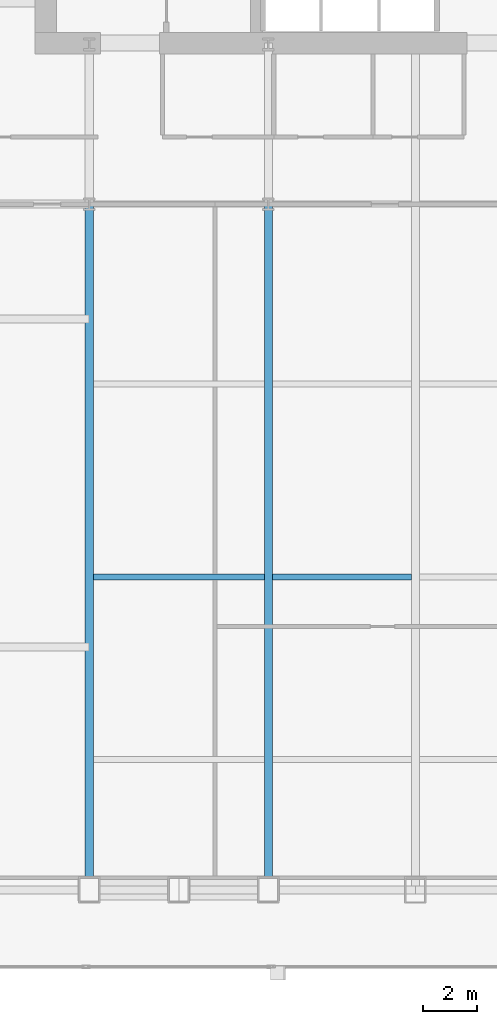
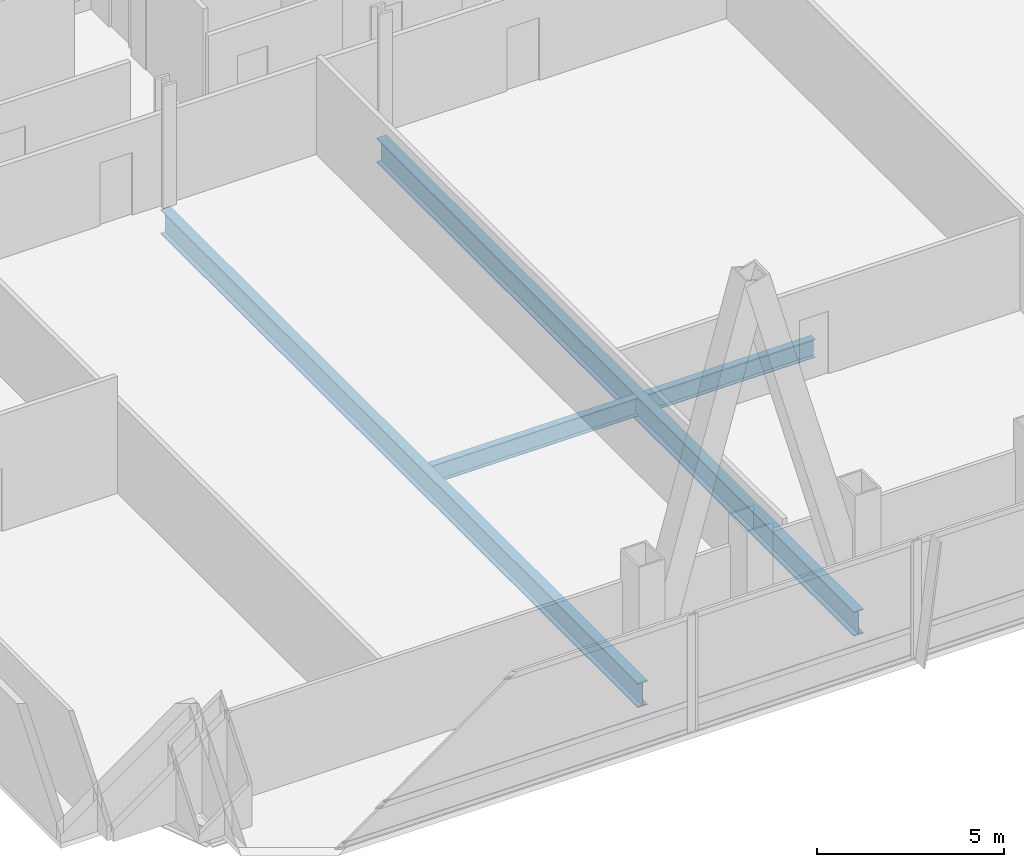
# One storey, part 9 of 36: 4 beams.
"""IFC4 building model written with IfcOpenShell, lengths in metres."""

import ifcopenshell
import ifcopenshell.guid

model = None  # the IFC model being written
_history = None  # IfcOwnerHistory: only IFC2X3 demands one
_inside = {}  # id of a spatial element -> (the spatial element, [elements in it])
_under = {}  # id of a project, library or spatial element -> (it, [spatial elements below it])
_declared = {}  # id of a project -> (the project, [libraries it declares])
_typed = {}  # id of a type object -> (the type object, [elements of that type])
_made_of = {}  # id of a material, layer set ... -> (it, [elements and type objects made of it])


def new_model(schema):
    """Start an empty IFC model of exactly this schema.

    Asked for "IFC4X3", IfcOpenShell would pick the latest addendum, in which some entities
    have other attributes; the version numbers below select the first issue.
    IFC2X3 requires an IfcOwnerHistory on every rooted entity: one is made here for all.
    """
    global model, _history
    if schema == "IFC4X3":
        model = ifcopenshell.file(schema_version=(4, 3, 0, 0))
    else:
        model = ifcopenshell.file(schema=schema)
    _inside.clear()
    _under.clear()
    _declared.clear()
    _typed.clear()
    _made_of.clear()
    _history = None
    if model.schema == "IFC2X3":
        org = make("IfcOrganization", Name="unknown")
        user = make(
            "IfcPersonAndOrganization",
            ThePerson=make("IfcPerson", FamilyName="unknown"),
            TheOrganization=org,
        )
        app = make(
            "IfcApplication",
            ApplicationDeveloper=org,
            Version="unknown",
            ApplicationFullName="unknown",
            ApplicationIdentifier="unknown",
        )
        _history = make(
            "IfcOwnerHistory",
            OwningUser=user,
            OwningApplication=app,
            ChangeAction="ADDED",
            CreationDate=0,
        )
    return model


def make(cls, **values):
    """One entity of the class cls with the attributes given. An attribute that is None is left unset."""
    return model.create_entity(
        cls, **{name: value for name, value in values.items() if value is not None}
    )


def rooted(cls, **values):
    """An entity with a GlobalId (a new one), such as an element, a storey or a relation."""
    return make(cls, GlobalId=ifcopenshell.guid.new(), OwnerHistory=_history, **values)


def si_unit(unit_type, name, prefix=None):
    """IfcSIUnit, for example si_unit("LENGTHUNIT", "METRE", prefix="MILLI")."""
    return make("IfcSIUnit", UnitType=unit_type, Prefix=prefix, Name=name)


def assignment(units):
    """IfcUnitAssignment: the units of a project."""
    return None if units is None else make("IfcUnitAssignment", Units=units)


def point(xyz):
    """IfcCartesianPoint."""
    return None if xyz is None else make("IfcCartesianPoint", Coordinates=xyz)


def direction(xyz):
    """IfcDirection."""
    return None if xyz is None else make("IfcDirection", DirectionRatios=xyz)


def frame(location, z_axis=None, x_axis=None):
    """IfcAxis2Placement3D, a coordinate frame: its origin and axes. An axis left out is left unset."""
    return make(
        "IfcAxis2Placement3D",
        Location=point(location),
        Axis=direction(z_axis),
        RefDirection=direction(x_axis),
    )


def frame_2d(location, x_axis=None):
    """IfcAxis2Placement2D, a coordinate frame in the plane: its origin and x axis."""
    return make(
        "IfcAxis2Placement2D", Location=point(location), RefDirection=direction(x_axis)
    )


def origin():
    """The frame at (0, 0, 0) with its axes left unset."""
    return frame((0.0, 0.0, 0.0))


def origin_2d():
    """The frame at (0, 0) in the plane with its x axis left unset."""
    return frame_2d((0.0, 0.0))


def place(relative_to, where):
    """IfcLocalPlacement: puts the frame where relative to a parent placement (None: the world)."""
    return make(
        "IfcLocalPlacement", PlacementRelTo=relative_to, RelativePlacement=where
    )


def context(
    kind, dimensions, precision=None, world=None, true_north=None, identifier=None
):
    """IfcGeometricRepresentationContext, for example the 3D "Model" context."""
    return make(
        "IfcGeometricRepresentationContext",
        ContextIdentifier=identifier,
        ContextType=kind,
        CoordinateSpaceDimension=dimensions,
        Precision=precision,
        WorldCoordinateSystem=world,
        TrueNorth=true_north,
    )


def subcontext(parent, identifier, kind, view, scale=None):
    """IfcGeometricRepresentationSubContext, for example "Body" below "Model"."""
    return make(
        "IfcGeometricRepresentationSubContext",
        ContextIdentifier=identifier,
        ContextType=kind,
        ParentContext=parent,
        TargetScale=scale,
        TargetView=view,
    )


def project(units=None, contexts=None):
    """IfcProject with its units and contexts."""
    return rooted(
        "IfcProject",
        Name="project",
        RepresentationContexts=contexts,
        UnitsInContext=assignment(units),
    )


def spatial(cls, under=None, at=None, **own):
    """A site, building, storey or space (cls), placed at a placement, below another one or the project."""
    s = rooted(cls, ObjectPlacement=at, **own)
    if under is not None:
        _under.setdefault(under.id(), (under, []))[1].append(s)
    return s


def profile(cls, at=None, kind="AREA", **sizes):
    """A parametric profile (cls). Its sizes go by their IFC names, for example OverallWidth=200.0."""
    return make(cls, ProfileType=kind, Position=at, **sizes)


def i_section(**sizes):
    """IfcIShapeProfileDef."""
    return profile("IfcIShapeProfileDef", **sizes)


def extrude(swept, where, along, depth):
    """IfcExtrudedAreaSolid: the profile swept, set in the frame where, extruded along a direction by depth."""
    return make(
        "IfcExtrudedAreaSolid",
        SweptArea=swept,
        Position=where,
        ExtrudedDirection=direction(along),
        Depth=depth,
    )


def shape(context_of_items, identifier, shape_type, items):
    """IfcShapeRepresentation: the items that make up one representation, for example the "Body"."""
    return make(
        "IfcShapeRepresentation",
        ContextOfItems=context_of_items,
        RepresentationIdentifier=identifier,
        RepresentationType=shape_type,
        Items=items,
    )


def material(Name=None, Category=None):
    """IfcMaterial."""
    return make("IfcMaterial", Name=Name, Category=Category)


def material_profile(
    of_material, cross_section, Name=None, Category=None, Priority=None
):
    """IfcMaterialProfile: a cross section and its material."""
    return make(
        "IfcMaterialProfile",
        Name=Name,
        Material=of_material,
        Profile=cross_section,
        Priority=Priority,
        Category=Category,
    )


def profile_set(profiles, Name=None, composite=None):
    """IfcMaterialProfileSet."""
    return make(
        "IfcMaterialProfileSet",
        Name=Name,
        MaterialProfiles=profiles,
        CompositeProfile=composite,
    )


def made_of(thing, what):
    """Note that an element or type object is made of a material, layer set ...; save() writes the relation."""
    if what is not None:
        _made_of.setdefault(what.id(), (what, []))[1].append(thing)
    return thing


def type_object(cls, material=None, **own):
    """A type object (cls), such as IfcWallType, which elements share."""
    return made_of(rooted(cls, **own), material)


def element(
    cls,
    number,
    at=None,
    inside=None,
    cuts=None,
    type_object=None,
    material=None,
    context=None,
    identifier="Body",
    shape_type=None,
    held_by="IfcProductDefinitionShape",
    body=None,
    shapes=None,
    **own,
):
    """One element of the class cls, such as IfcWall. Its Tag is "e" and its number.

    at: its placement. inside: the storey or other place that contains it. cuts: it is an
    opening in that element (IfcRelVoidsElement). A single representation is given by context,
    identifier, shape_type and body (its items); several are given by shapes. held_by: the class
    of the entity that holds the representations. save() writes the other relations.
    """
    e = rooted(cls, Tag="e%d" % number, ObjectPlacement=at, **own)
    if body is not None:
        shapes = [shape(context, identifier, shape_type, body)]
    if shapes is not None:
        e.Representation = make(held_by, Representations=shapes)
    if inside is not None:
        _inside.setdefault(inside.id(), (inside, []))[1].append(e)
    if cuts is not None:
        rooted(
            "IfcRelVoidsElement", RelatingBuildingElement=cuts, RelatedOpeningElement=e
        )
    if type_object is not None:
        _typed.setdefault(type_object.id(), (type_object, []))[1].append(e)
    return made_of(e, material)


def aggregate(whole, parts):
    """IfcRelAggregates: a whole, such as a stair, and the parts it consists of."""
    return rooted("IfcRelAggregates", RelatingObject=whole, RelatedObjects=parts)


def save(model, path):
    """Write the relations noted so far, then the file.

    IfcRelAggregates (storeys below a building ...), IfcRelContainedInSpatialStructure (elements
    in a storey), IfcRelDefinesByType, IfcRelAssociatesMaterial and IfcRelDeclares: one each for
    every whole, place, type object, material and project.
    """
    for whole, parts in _under.values():
        aggregate(whole, parts)
    for where, things in _inside.values():
        rooted(
            "IfcRelContainedInSpatialStructure",
            RelatedElements=things,
            RelatingStructure=where,
        )
    for kind, things in _typed.values():
        rooted("IfcRelDefinesByType", RelatedObjects=things, RelatingType=kind)
    for what, things in _made_of.values():
        rooted("IfcRelAssociatesMaterial", RelatedObjects=things, RelatingMaterial=what)
    for by, libraries in _declared.values():
        rooted("IfcRelDeclares", RelatingContext=by, RelatedDefinitions=libraries)
    model.write(path)


model = new_model("IFC4")

# Units and contexts
model_context = context("Model", 3, precision=1e-05, world=origin(), true_north=direction((0.0, 1.0)))
body_context = subcontext(model_context, "Body", "Model", "MODEL_VIEW")
ifc_project = project(units=[si_unit("LENGTHUNIT", "METRE"), si_unit("AREAUNIT", "SQUARE_METRE"), si_unit("VOLUMEUNIT", "CUBIC_METRE"), si_unit("PLANEANGLEUNIT", "RADIAN"), si_unit("MASSUNIT", "GRAM", prefix="KILO")], contexts=[model_context])

# Site, building, storey
site_placement = place(None, origin())
site = spatial("IfcSite", under=ifc_project, at=site_placement, CompositionType="ELEMENT")
building_placement = place(site_placement, origin())
building = spatial("IfcBuilding", under=site, at=building_placement, Name="Khoronbel Lancet Exchange", CompositionType="ELEMENT")
storey_placement = place(building_placement, frame((0.0, 0.0, 49.800048828125)))
storey = spatial("IfcBuildingStorey", under=building, at=storey_placement, Name="L11", CompositionType="ELEMENT", Elevation=49.800048828125)

# Beams
ifc_material = material(Name="Steel S355", Category="steel")
ifc_material_profile_1 = material_profile(ifc_material, i_section(OverallWidth=0.300048828125, OverallDepth=0.800048828125, WebThickness=0.017578125, FlangeThickness=0.032958984375, at=origin_2d()), Name="HEB 800")
ifc_profile_set_1 = profile_set([ifc_material_profile_1], Name="Steel S355")
beam_type_1 = type_object("IfcBeamType", Name="BM-BG2", PredefinedType="BEAM", material=ifc_profile_set_1)
for number, where, z_axis, x_axis, name in (
    (1, (18.22509765625, 10.14990234375, -0.580078125), (0.0, 1.0, 0.0), (-1.0, 0.0, 0.0), "Level L11 south primary girder GS1"),
    (2, (24.89990234375, 10.14990234375, -0.580078125), (0.0, 1.0, 0.0), (-1.0, 0.0, 0.0), "Level L11 south primary girder GS2"),
):
    element("IfcBeam", number, at=place(storey_placement, frame(where, z_axis=z_axis, x_axis=x_axis)), inside=storey, type_object=beam_type_1, Name=name, PredefinedType="BEAM", context=body_context, shape_type="SweptSolid", body=[
        extrude(i_section(OverallWidth=0.300048828125, OverallDepth=0.800048828125, WebThickness=0.017578125, FlangeThickness=0.032958984375, at=origin_2d()), origin(), (0.0, 0.0, 1.0), 25.550048828125),
    ])
ifc_material_profile_2 = material_profile(ifc_material, i_section(OverallWidth=0.219970703125, OverallDepth=0.60009765625, WebThickness=0.011962890625, FlangeThickness=0.01904296875, at=origin_2d()), Name="IPE 600")
ifc_profile_set_2 = profile_set([ifc_material_profile_2], Name="Steel S355")
beam_type_2 = type_object("IfcBeamType", Name="BM-BJ1", PredefinedType="JOIST", material=ifc_profile_set_2)
beam_1_placement = place(storey_placement, frame((18.375, 21.800048828125, -0.47998046875), z_axis=(1.0, 0.0, 0.0), x_axis=(0.0, 1.0, 0.0)))
element("IfcBeam", 3, at=beam_1_placement, inside=storey, type_object=beam_type_2, Name="Level L11 secondary composite joist J06", PredefinedType="JOIST", context=body_context, shape_type="SweptSolid", body=[
    extrude(i_section(OverallWidth=0.219970703125, OverallDepth=0.60009765625, WebThickness=0.011962890625, FlangeThickness=0.01904296875, at=origin_2d()), origin(), (0.0, 0.0, 1.0), 6.375),
])
beam_2_placement = place(storey_placement, frame((25.050048828125, 21.800048828125, -0.47998046875), z_axis=(1.0, 0.0, 0.0), x_axis=(0.0, 1.0, 0.0)))
element("IfcBeam", 4, at=beam_2_placement, inside=storey, type_object=beam_type_2, Name="Level L11 secondary composite joist J07", PredefinedType="JOIST", context=body_context, shape_type="SweptSolid", body=[
    extrude(i_section(OverallWidth=0.219970703125, OverallDepth=0.60009765625, WebThickness=0.011962890625, FlangeThickness=0.01904296875, at=origin_2d()), origin(), (0.0, 0.0, 1.0), 5.175048828125),
])

save(model, "model.ifc")
